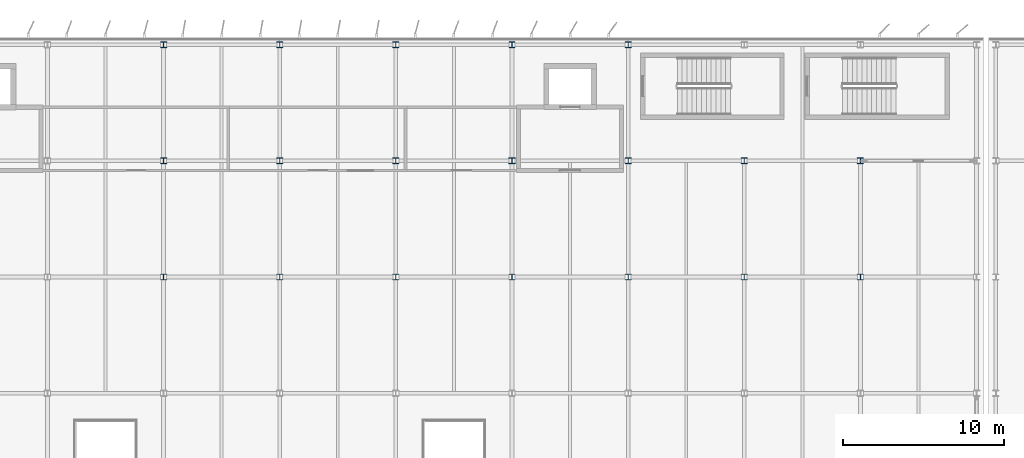
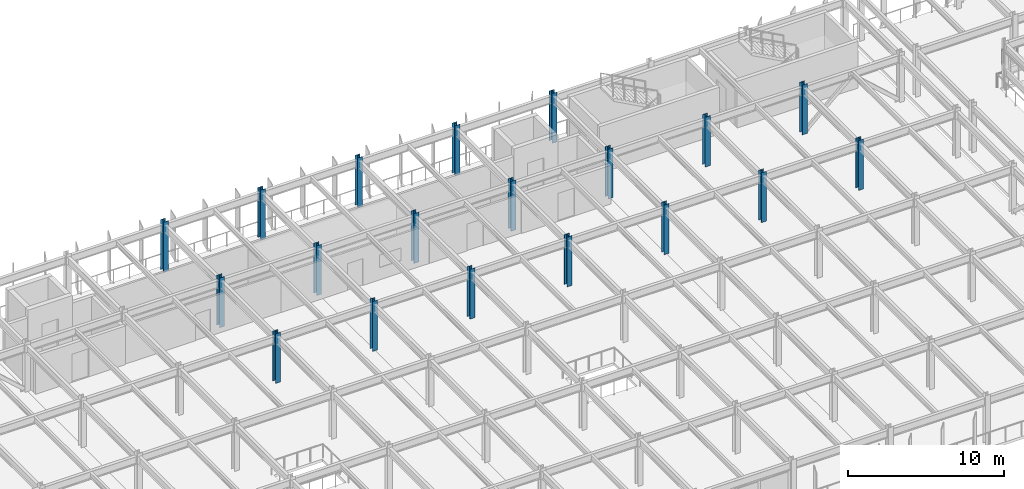
# One storey, part 7 of 52: 19 columns.
"""IFC4 building model written with IfcOpenShell, lengths in metres."""

import ifcopenshell
import ifcopenshell.guid

model = None  # the IFC model being written
_history = None  # IfcOwnerHistory: only IFC2X3 demands one
_inside = {}  # id of a spatial element -> (the spatial element, [elements in it])
_under = {}  # id of a project, library or spatial element -> (it, [spatial elements below it])
_declared = {}  # id of a project -> (the project, [libraries it declares])
_typed = {}  # id of a type object -> (the type object, [elements of that type])
_made_of = {}  # id of a material, layer set ... -> (it, [elements and type objects made of it])


def new_model(schema):
    """Start an empty IFC model of exactly this schema.

    Asked for "IFC4X3", IfcOpenShell would pick the latest addendum, in which some entities
    have other attributes; the version numbers below select the first issue.
    IFC2X3 requires an IfcOwnerHistory on every rooted entity: one is made here for all.
    """
    global model, _history
    if schema == "IFC4X3":
        model = ifcopenshell.file(schema_version=(4, 3, 0, 0))
    else:
        model = ifcopenshell.file(schema=schema)
    _inside.clear()
    _under.clear()
    _declared.clear()
    _typed.clear()
    _made_of.clear()
    _history = None
    if model.schema == "IFC2X3":
        org = make("IfcOrganization", Name="unknown")
        user = make(
            "IfcPersonAndOrganization",
            ThePerson=make("IfcPerson", FamilyName="unknown"),
            TheOrganization=org,
        )
        app = make(
            "IfcApplication",
            ApplicationDeveloper=org,
            Version="unknown",
            ApplicationFullName="unknown",
            ApplicationIdentifier="unknown",
        )
        _history = make(
            "IfcOwnerHistory",
            OwningUser=user,
            OwningApplication=app,
            ChangeAction="ADDED",
            CreationDate=0,
        )
    return model


def make(cls, **values):
    """One entity of the class cls with the attributes given. An attribute that is None is left unset."""
    return model.create_entity(
        cls, **{name: value for name, value in values.items() if value is not None}
    )


def rooted(cls, **values):
    """An entity with a GlobalId (a new one), such as an element, a storey or a relation."""
    return make(cls, GlobalId=ifcopenshell.guid.new(), OwnerHistory=_history, **values)


def si_unit(unit_type, name, prefix=None):
    """IfcSIUnit, for example si_unit("LENGTHUNIT", "METRE", prefix="MILLI")."""
    return make("IfcSIUnit", UnitType=unit_type, Prefix=prefix, Name=name)


def assignment(units):
    """IfcUnitAssignment: the units of a project."""
    return None if units is None else make("IfcUnitAssignment", Units=units)


def point(xyz):
    """IfcCartesianPoint."""
    return None if xyz is None else make("IfcCartesianPoint", Coordinates=xyz)


def direction(xyz):
    """IfcDirection."""
    return None if xyz is None else make("IfcDirection", DirectionRatios=xyz)


def frame(location, z_axis=None, x_axis=None):
    """IfcAxis2Placement3D, a coordinate frame: its origin and axes. An axis left out is left unset."""
    return make(
        "IfcAxis2Placement3D",
        Location=point(location),
        Axis=direction(z_axis),
        RefDirection=direction(x_axis),
    )


def frame_2d(location, x_axis=None):
    """IfcAxis2Placement2D, a coordinate frame in the plane: its origin and x axis."""
    return make(
        "IfcAxis2Placement2D", Location=point(location), RefDirection=direction(x_axis)
    )


def origin():
    """The frame at (0, 0, 0) with its axes left unset."""
    return frame((0.0, 0.0, 0.0))


def origin_2d():
    """The frame at (0, 0) in the plane with its x axis left unset."""
    return frame_2d((0.0, 0.0))


def place(relative_to, where):
    """IfcLocalPlacement: puts the frame where relative to a parent placement (None: the world)."""
    return make(
        "IfcLocalPlacement", PlacementRelTo=relative_to, RelativePlacement=where
    )


def context(
    kind, dimensions, precision=None, world=None, true_north=None, identifier=None
):
    """IfcGeometricRepresentationContext, for example the 3D "Model" context."""
    return make(
        "IfcGeometricRepresentationContext",
        ContextIdentifier=identifier,
        ContextType=kind,
        CoordinateSpaceDimension=dimensions,
        Precision=precision,
        WorldCoordinateSystem=world,
        TrueNorth=true_north,
    )


def subcontext(parent, identifier, kind, view, scale=None):
    """IfcGeometricRepresentationSubContext, for example "Body" below "Model"."""
    return make(
        "IfcGeometricRepresentationSubContext",
        ContextIdentifier=identifier,
        ContextType=kind,
        ParentContext=parent,
        TargetScale=scale,
        TargetView=view,
    )


def project(units=None, contexts=None):
    """IfcProject with its units and contexts."""
    return rooted(
        "IfcProject",
        Name="project",
        RepresentationContexts=contexts,
        UnitsInContext=assignment(units),
    )


def spatial(cls, under=None, at=None, **own):
    """A site, building, storey or space (cls), placed at a placement, below another one or the project."""
    s = rooted(cls, ObjectPlacement=at, **own)
    if under is not None:
        _under.setdefault(under.id(), (under, []))[1].append(s)
    return s


def profile(cls, at=None, kind="AREA", **sizes):
    """A parametric profile (cls). Its sizes go by their IFC names, for example OverallWidth=200.0."""
    return make(cls, ProfileType=kind, Position=at, **sizes)


def i_section(**sizes):
    """IfcIShapeProfileDef."""
    return profile("IfcIShapeProfileDef", **sizes)


def extrude(swept, where, along, depth):
    """IfcExtrudedAreaSolid: the profile swept, set in the frame where, extruded along a direction by depth."""
    return make(
        "IfcExtrudedAreaSolid",
        SweptArea=swept,
        Position=where,
        ExtrudedDirection=direction(along),
        Depth=depth,
    )


def shape(context_of_items, identifier, shape_type, items):
    """IfcShapeRepresentation: the items that make up one representation, for example the "Body"."""
    return make(
        "IfcShapeRepresentation",
        ContextOfItems=context_of_items,
        RepresentationIdentifier=identifier,
        RepresentationType=shape_type,
        Items=items,
    )


def material(Name=None, Category=None):
    """IfcMaterial."""
    return make("IfcMaterial", Name=Name, Category=Category)


def material_profile(
    of_material, cross_section, Name=None, Category=None, Priority=None
):
    """IfcMaterialProfile: a cross section and its material."""
    return make(
        "IfcMaterialProfile",
        Name=Name,
        Material=of_material,
        Profile=cross_section,
        Priority=Priority,
        Category=Category,
    )


def profile_set(profiles, Name=None, composite=None):
    """IfcMaterialProfileSet."""
    return make(
        "IfcMaterialProfileSet",
        Name=Name,
        MaterialProfiles=profiles,
        CompositeProfile=composite,
    )


def made_of(thing, what):
    """Note that an element or type object is made of a material, layer set ...; save() writes the relation."""
    if what is not None:
        _made_of.setdefault(what.id(), (what, []))[1].append(thing)
    return thing


def type_object(cls, material=None, **own):
    """A type object (cls), such as IfcWallType, which elements share."""
    return made_of(rooted(cls, **own), material)


def element(
    cls,
    number,
    at=None,
    inside=None,
    cuts=None,
    type_object=None,
    material=None,
    context=None,
    identifier="Body",
    shape_type=None,
    held_by="IfcProductDefinitionShape",
    body=None,
    shapes=None,
    **own,
):
    """One element of the class cls, such as IfcWall. Its Tag is "e" and its number.

    at: its placement. inside: the storey or other place that contains it. cuts: it is an
    opening in that element (IfcRelVoidsElement). A single representation is given by context,
    identifier, shape_type and body (its items); several are given by shapes. held_by: the class
    of the entity that holds the representations. save() writes the other relations.
    """
    e = rooted(cls, Tag="e%d" % number, ObjectPlacement=at, **own)
    if body is not None:
        shapes = [shape(context, identifier, shape_type, body)]
    if shapes is not None:
        e.Representation = make(held_by, Representations=shapes)
    if inside is not None:
        _inside.setdefault(inside.id(), (inside, []))[1].append(e)
    if cuts is not None:
        rooted(
            "IfcRelVoidsElement", RelatingBuildingElement=cuts, RelatedOpeningElement=e
        )
    if type_object is not None:
        _typed.setdefault(type_object.id(), (type_object, []))[1].append(e)
    return made_of(e, material)


def aggregate(whole, parts):
    """IfcRelAggregates: a whole, such as a stair, and the parts it consists of."""
    return rooted("IfcRelAggregates", RelatingObject=whole, RelatedObjects=parts)


def save(model, path):
    """Write the relations noted so far, then the file.

    IfcRelAggregates (storeys below a building ...), IfcRelContainedInSpatialStructure (elements
    in a storey), IfcRelDefinesByType, IfcRelAssociatesMaterial and IfcRelDeclares: one each for
    every whole, place, type object, material and project.
    """
    for whole, parts in _under.values():
        aggregate(whole, parts)
    for where, things in _inside.values():
        rooted(
            "IfcRelContainedInSpatialStructure",
            RelatedElements=things,
            RelatingStructure=where,
        )
    for kind, things in _typed.values():
        rooted("IfcRelDefinesByType", RelatedObjects=things, RelatingType=kind)
    for what, things in _made_of.values():
        rooted("IfcRelAssociatesMaterial", RelatedObjects=things, RelatingMaterial=what)
    for by, libraries in _declared.values():
        rooted("IfcRelDeclares", RelatingContext=by, RelatedDefinitions=libraries)
    model.write(path)


model = new_model("IFC4")

# Units and contexts
model_context = context("Model", 3, precision=1e-05, world=origin(), true_north=direction((0.0, 1.0)))
body_context = subcontext(model_context, "Body", "Model", "MODEL_VIEW")
ifc_project = project(units=[si_unit("LENGTHUNIT", "METRE"), si_unit("AREAUNIT", "SQUARE_METRE"), si_unit("VOLUMEUNIT", "CUBIC_METRE"), si_unit("PLANEANGLEUNIT", "RADIAN"), si_unit("MASSUNIT", "GRAM", prefix="KILO")], contexts=[model_context])

# Site, building, storey
site_placement = place(None, origin())
site = spatial("IfcSite", under=ifc_project, at=site_placement, CompositionType="ELEMENT")
building_placement = place(site_placement, origin())
building = spatial("IfcBuilding", under=site, at=building_placement, Name="Vaelcorin Mobility Hub", CompositionType="ELEMENT")
storey_placement = place(building_placement, frame((0.0, 0.0, 13.199951171875)))
storey = spatial("IfcBuildingStorey", under=building, at=storey_placement, Name="L03", CompositionType="ELEMENT", Elevation=13.199951171875)

# Columns
ifc_material = material(Name="Steel ASTM A992 Grade 50", Category="steel")
ifc_material_profile_1 = material_profile(ifc_material, i_section(OverallWidth=0.37109375, OverallDepth=0.363037109375, WebThickness=0.01318359375, FlangeThickness=0.021728515625, FilletRadius=0.014892578125, at=origin_2d()), Name="W14X109")
ifc_profile_set_1 = profile_set([ifc_material_profile_1], Name="Steel ASTM A992 Grade 50")
column_type_1 = type_object("IfcColumnType", Name="COL-W14X109", PredefinedType="COLUMN", material=ifc_profile_set_1)
for number, where, z_axis, x_axis, name in (
    (1, (72.0, 105.60009765625, 0.0), (0.0, 0.0, 1.0), (1.0, 0.0, 0.0), "Column V4-X06Y05 L03"),
    (2, (72.0, 120.0, 0.0), (0.0, 0.0, 1.0), (1.0, 0.0, 0.0), "Column V4-X06Y07 L03"),
    (3, (79.199951171875, 105.60009765625, 0.0), (0.0, 0.0, 1.0), (1.0, 0.0, 0.0), "Column V4-X07Y05 L03"),
    (4, (79.199951171875, 120.0, 0.0), (0.0, 0.0, 1.0), (1.0, 0.0, 0.0), "Column V4-X07Y07 L03"),
    (5, (86.39990234375, 105.60009765625, 0.0), (0.0, 0.0, 1.0), (1.0, 0.0, 0.0), "Column V4-X08Y05 L03"),
    (6, (86.39990234375, 120.0, 0.0), (0.0, 0.0, 1.0), (1.0, 0.0, 0.0), "Column V4-X08Y07 L03"),
    (7, (93.60009765625, 105.60009765625, 0.0), (0.0, 0.0, 1.0), (1.0, 0.0, 0.0), "Column V4-X09Y05 L03"),
    (8, (93.60009765625, 120.0, 0.0), (0.0, 0.0, 1.0), (1.0, 0.0, 0.0), "Column V4-X09Y07 L03"),
    (9, (100.800048828125, 105.60009765625, 0.0), (0.0, 0.0, 1.0), (1.0, 0.0, 0.0), "Column V4-X10Y05 L03"),
    (10, (100.800048828125, 120.0, 0.0), (0.0, 0.0, 1.0), (1.0, 0.0, 0.0), "Column V4-X10Y07 L03"),
    (11, (108.0, 105.60009765625, 0.0), (0.0, 0.0, 1.0), (1.0, 0.0, 0.0), "Column V4-X11Y05 L03"),
    (12, (115.199951171875, 105.60009765625, 0.0), (0.0, 0.0, 1.0), (1.0, 0.0, 0.0), "Column V4-X12Y05 L03"),
):
    element("IfcColumn", number, at=place(storey_placement, frame(where, z_axis=z_axis, x_axis=x_axis)), inside=storey, type_object=column_type_1, Name=name, PredefinedType="COLUMN", context=body_context, shape_type="SweptSolid", body=[
        extrude(i_section(OverallWidth=0.37109375, OverallDepth=0.363037109375, WebThickness=0.01318359375, FlangeThickness=0.021728515625, FilletRadius=0.014892578125, at=origin_2d()), origin(), (0.0, 0.0, 1.0), 3.900146484375),
    ])
ifc_material_profile_2 = material_profile(ifc_material, i_section(OverallWidth=0.373046875, OverallDepth=0.373046875, WebThickness=0.016357421875, FlangeThickness=0.026123046875, FilletRadius=0.014892578125, at=origin_2d()), Name="W14X132")
ifc_profile_set_2 = profile_set([ifc_material_profile_2], Name="Steel ASTM A992 Grade 50")
column_type_2 = type_object("IfcColumnType", Name="COL-W14X132", PredefinedType="COLUMN", material=ifc_profile_set_2)
for number, where, z_axis, x_axis, name in (
    (13, (72.0, 112.800048828125, 0.0), (0.0, 0.0, 1.0), (1.0, 0.0, 0.0), "Column V4-X06Y06 L03"),
    (14, (79.199951171875, 112.800048828125, 0.0), (0.0, 0.0, 1.0), (1.0, 0.0, 0.0), "Column V4-X07Y06 L03"),
    (15, (86.39990234375, 112.800048828125, 0.0), (0.0, 0.0, 1.0), (1.0, 0.0, 0.0), "Column V4-X08Y06 L03"),
    (16, (93.60009765625, 112.800048828125, 0.0), (0.0, 0.0, 1.0), (1.0, 0.0, 0.0), "Column V4-X09Y06 L03"),
    (17, (100.800048828125, 112.800048828125, 0.0), (0.0, 0.0, 1.0), (1.0, 0.0, 0.0), "Column V4-X10Y06 L03"),
    (18, (108.0, 112.800048828125, 0.0), (0.0, 0.0, 1.0), (1.0, 0.0, 0.0), "Column V4-X11Y06 L03"),
    (19, (115.199951171875, 112.800048828125, 0.0), (0.0, 0.0, 1.0), (1.0, 0.0, 0.0), "Column V4-X12Y06 L03"),
):
    element("IfcColumn", number, at=place(storey_placement, frame(where, z_axis=z_axis, x_axis=x_axis)), inside=storey, type_object=column_type_2, Name=name, PredefinedType="COLUMN", context=body_context, shape_type="SweptSolid", body=[
        extrude(i_section(OverallWidth=0.373046875, OverallDepth=0.373046875, WebThickness=0.016357421875, FlangeThickness=0.026123046875, FilletRadius=0.014892578125, at=origin_2d()), origin(), (0.0, 0.0, 1.0), 3.900146484375),
    ])

save(model, "model.ifc")
